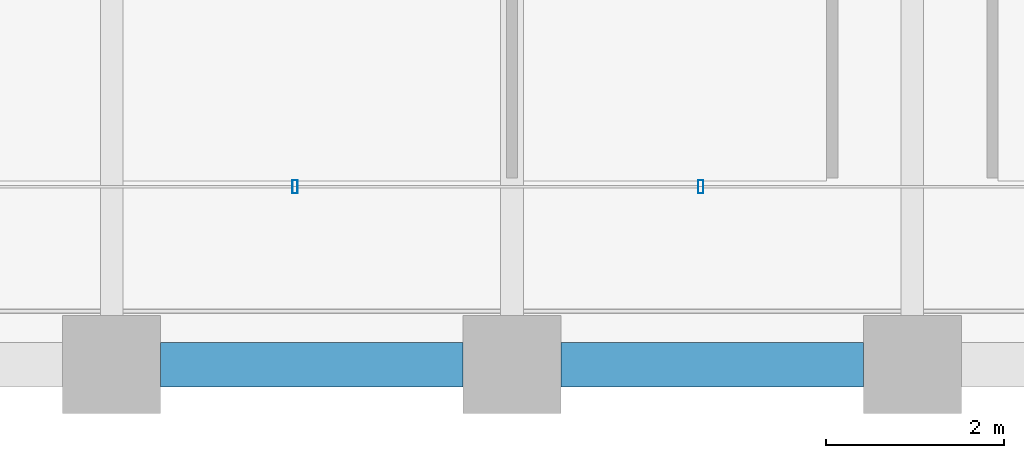
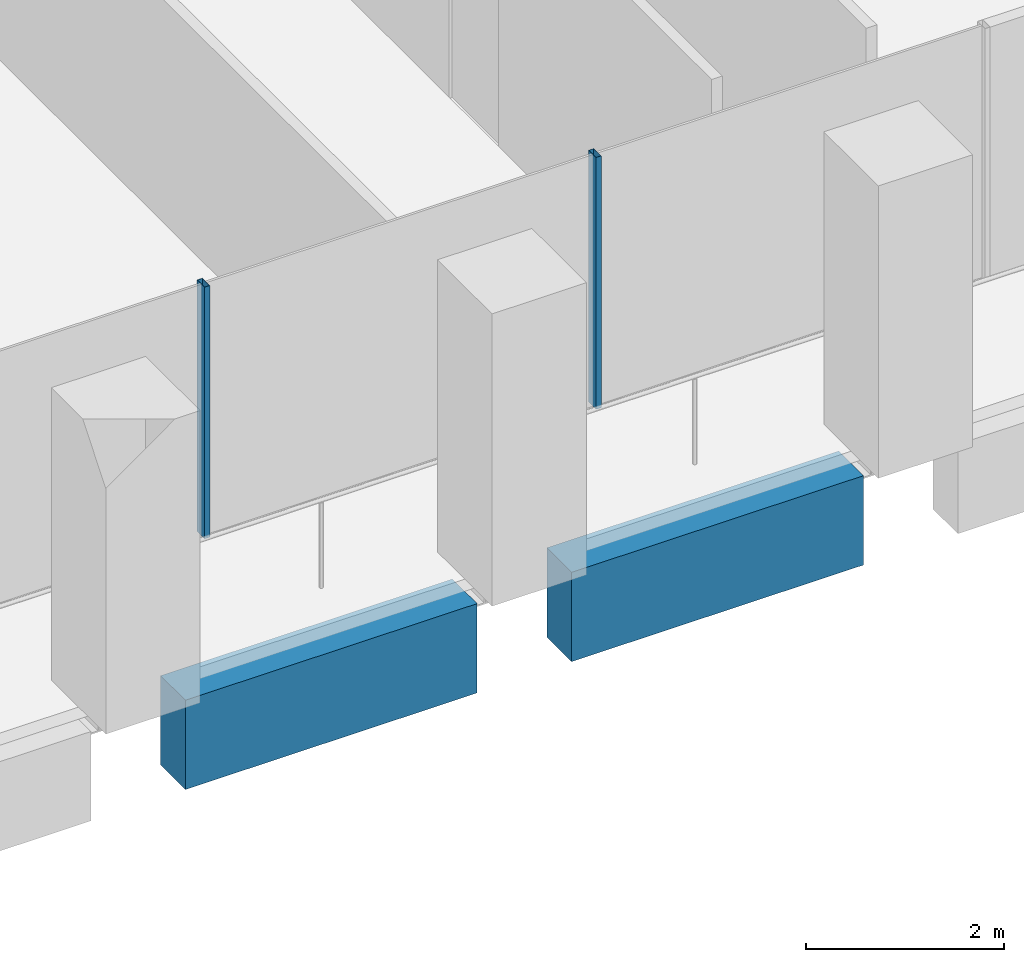
# One storey, part 3 of 56: 2 beams, 2 members, 1 element without a shape of its own.
"""IFC4 building model written with IfcOpenShell, lengths in metres."""

import ifcopenshell
import ifcopenshell.guid

model = None  # the IFC model being written
_history = None  # IfcOwnerHistory: only IFC2X3 demands one
_inside = {}  # id of a spatial element -> (the spatial element, [elements in it])
_under = {}  # id of a project, library or spatial element -> (it, [spatial elements below it])
_declared = {}  # id of a project -> (the project, [libraries it declares])
_typed = {}  # id of a type object -> (the type object, [elements of that type])
_made_of = {}  # id of a material, layer set ... -> (it, [elements and type objects made of it])


def new_model(schema):
    """Start an empty IFC model of exactly this schema.

    Asked for "IFC4X3", IfcOpenShell would pick the latest addendum, in which some entities
    have other attributes; the version numbers below select the first issue.
    IFC2X3 requires an IfcOwnerHistory on every rooted entity: one is made here for all.
    """
    global model, _history
    if schema == "IFC4X3":
        model = ifcopenshell.file(schema_version=(4, 3, 0, 0))
    else:
        model = ifcopenshell.file(schema=schema)
    _inside.clear()
    _under.clear()
    _declared.clear()
    _typed.clear()
    _made_of.clear()
    _history = None
    if model.schema == "IFC2X3":
        org = make("IfcOrganization", Name="unknown")
        user = make(
            "IfcPersonAndOrganization",
            ThePerson=make("IfcPerson", FamilyName="unknown"),
            TheOrganization=org,
        )
        app = make(
            "IfcApplication",
            ApplicationDeveloper=org,
            Version="unknown",
            ApplicationFullName="unknown",
            ApplicationIdentifier="unknown",
        )
        _history = make(
            "IfcOwnerHistory",
            OwningUser=user,
            OwningApplication=app,
            ChangeAction="ADDED",
            CreationDate=0,
        )
    return model


def make(cls, **values):
    """One entity of the class cls with the attributes given. An attribute that is None is left unset."""
    return model.create_entity(
        cls, **{name: value for name, value in values.items() if value is not None}
    )


def rooted(cls, **values):
    """An entity with a GlobalId (a new one), such as an element, a storey or a relation."""
    return make(cls, GlobalId=ifcopenshell.guid.new(), OwnerHistory=_history, **values)


def si_unit(unit_type, name, prefix=None):
    """IfcSIUnit, for example si_unit("LENGTHUNIT", "METRE", prefix="MILLI")."""
    return make("IfcSIUnit", UnitType=unit_type, Prefix=prefix, Name=name)


def assignment(units):
    """IfcUnitAssignment: the units of a project."""
    return None if units is None else make("IfcUnitAssignment", Units=units)


def point(xyz):
    """IfcCartesianPoint."""
    return None if xyz is None else make("IfcCartesianPoint", Coordinates=xyz)


def direction(xyz):
    """IfcDirection."""
    return None if xyz is None else make("IfcDirection", DirectionRatios=xyz)


def frame(location, z_axis=None, x_axis=None):
    """IfcAxis2Placement3D, a coordinate frame: its origin and axes. An axis left out is left unset."""
    return make(
        "IfcAxis2Placement3D",
        Location=point(location),
        Axis=direction(z_axis),
        RefDirection=direction(x_axis),
    )


def frame_2d(location, x_axis=None):
    """IfcAxis2Placement2D, a coordinate frame in the plane: its origin and x axis."""
    return make(
        "IfcAxis2Placement2D", Location=point(location), RefDirection=direction(x_axis)
    )


def origin():
    """The frame at (0, 0, 0) with its axes left unset."""
    return frame((0.0, 0.0, 0.0))


def origin_2d():
    """The frame at (0, 0) in the plane with its x axis left unset."""
    return frame_2d((0.0, 0.0))


def place(relative_to, where):
    """IfcLocalPlacement: puts the frame where relative to a parent placement (None: the world)."""
    return make(
        "IfcLocalPlacement", PlacementRelTo=relative_to, RelativePlacement=where
    )


def context(
    kind, dimensions, precision=None, world=None, true_north=None, identifier=None
):
    """IfcGeometricRepresentationContext, for example the 3D "Model" context."""
    return make(
        "IfcGeometricRepresentationContext",
        ContextIdentifier=identifier,
        ContextType=kind,
        CoordinateSpaceDimension=dimensions,
        Precision=precision,
        WorldCoordinateSystem=world,
        TrueNorth=true_north,
    )


def subcontext(parent, identifier, kind, view, scale=None):
    """IfcGeometricRepresentationSubContext, for example "Body" below "Model"."""
    return make(
        "IfcGeometricRepresentationSubContext",
        ContextIdentifier=identifier,
        ContextType=kind,
        ParentContext=parent,
        TargetScale=scale,
        TargetView=view,
    )


def project(units=None, contexts=None):
    """IfcProject with its units and contexts."""
    return rooted(
        "IfcProject",
        Name="project",
        RepresentationContexts=contexts,
        UnitsInContext=assignment(units),
    )


def spatial(cls, under=None, at=None, **own):
    """A site, building, storey or space (cls), placed at a placement, below another one or the project."""
    s = rooted(cls, ObjectPlacement=at, **own)
    if under is not None:
        _under.setdefault(under.id(), (under, []))[1].append(s)
    return s


def profile(cls, at=None, kind="AREA", **sizes):
    """A parametric profile (cls). Its sizes go by their IFC names, for example OverallWidth=200.0."""
    return make(cls, ProfileType=kind, Position=at, **sizes)


def rectangle(**sizes):
    """IfcRectangleProfileDef."""
    return profile("IfcRectangleProfileDef", **sizes)


def hollow_rectangle(**sizes):
    """IfcRectangleHollowProfileDef."""
    return profile("IfcRectangleHollowProfileDef", **sizes)


def extrude(swept, where, along, depth):
    """IfcExtrudedAreaSolid: the profile swept, set in the frame where, extruded along a direction by depth."""
    return make(
        "IfcExtrudedAreaSolid",
        SweptArea=swept,
        Position=where,
        ExtrudedDirection=direction(along),
        Depth=depth,
    )


def shape(context_of_items, identifier, shape_type, items):
    """IfcShapeRepresentation: the items that make up one representation, for example the "Body"."""
    return make(
        "IfcShapeRepresentation",
        ContextOfItems=context_of_items,
        RepresentationIdentifier=identifier,
        RepresentationType=shape_type,
        Items=items,
    )


def material(Name=None, Category=None):
    """IfcMaterial."""
    return make("IfcMaterial", Name=Name, Category=Category)


def material_profile(
    of_material, cross_section, Name=None, Category=None, Priority=None
):
    """IfcMaterialProfile: a cross section and its material."""
    return make(
        "IfcMaterialProfile",
        Name=Name,
        Material=of_material,
        Profile=cross_section,
        Priority=Priority,
        Category=Category,
    )


def profile_set(profiles, Name=None, composite=None):
    """IfcMaterialProfileSet."""
    return make(
        "IfcMaterialProfileSet",
        Name=Name,
        MaterialProfiles=profiles,
        CompositeProfile=composite,
    )


def made_of(thing, what):
    """Note that an element or type object is made of a material, layer set ...; save() writes the relation."""
    if what is not None:
        _made_of.setdefault(what.id(), (what, []))[1].append(thing)
    return thing


def type_object(cls, material=None, **own):
    """A type object (cls), such as IfcWallType, which elements share."""
    return made_of(rooted(cls, **own), material)


def element(
    cls,
    number,
    at=None,
    inside=None,
    cuts=None,
    type_object=None,
    material=None,
    context=None,
    identifier="Body",
    shape_type=None,
    held_by="IfcProductDefinitionShape",
    body=None,
    shapes=None,
    **own,
):
    """One element of the class cls, such as IfcWall. Its Tag is "e" and its number.

    at: its placement. inside: the storey or other place that contains it. cuts: it is an
    opening in that element (IfcRelVoidsElement). A single representation is given by context,
    identifier, shape_type and body (its items); several are given by shapes. held_by: the class
    of the entity that holds the representations. save() writes the other relations.
    """
    e = rooted(cls, Tag="e%d" % number, ObjectPlacement=at, **own)
    if body is not None:
        shapes = [shape(context, identifier, shape_type, body)]
    if shapes is not None:
        e.Representation = make(held_by, Representations=shapes)
    if inside is not None:
        _inside.setdefault(inside.id(), (inside, []))[1].append(e)
    if cuts is not None:
        rooted(
            "IfcRelVoidsElement", RelatingBuildingElement=cuts, RelatedOpeningElement=e
        )
    if type_object is not None:
        _typed.setdefault(type_object.id(), (type_object, []))[1].append(e)
    return made_of(e, material)


def aggregate(whole, parts):
    """IfcRelAggregates: a whole, such as a stair, and the parts it consists of."""
    return rooted("IfcRelAggregates", RelatingObject=whole, RelatedObjects=parts)


def save(model, path):
    """Write the relations noted so far, then the file.

    IfcRelAggregates (storeys below a building ...), IfcRelContainedInSpatialStructure (elements
    in a storey), IfcRelDefinesByType, IfcRelAssociatesMaterial and IfcRelDeclares: one each for
    every whole, place, type object, material and project.
    """
    for whole, parts in _under.values():
        aggregate(whole, parts)
    for where, things in _inside.values():
        rooted(
            "IfcRelContainedInSpatialStructure",
            RelatedElements=things,
            RelatingStructure=where,
        )
    for kind, things in _typed.values():
        rooted("IfcRelDefinesByType", RelatedObjects=things, RelatingType=kind)
    for what, things in _made_of.values():
        rooted("IfcRelAssociatesMaterial", RelatedObjects=things, RelatingMaterial=what)
    for by, libraries in _declared.values():
        rooted("IfcRelDeclares", RelatingContext=by, RelatedDefinitions=libraries)
    model.write(path)


model = new_model("IFC4")

# Units and contexts
model_context = context("Model", 3, precision=1e-05, world=origin(), true_north=direction((0.0, 1.0)))
body_context = subcontext(model_context, "Body", "Model", "MODEL_VIEW")
ifc_project = project(units=[si_unit("LENGTHUNIT", "METRE"), si_unit("AREAUNIT", "SQUARE_METRE"), si_unit("VOLUMEUNIT", "CUBIC_METRE"), si_unit("PLANEANGLEUNIT", "RADIAN"), si_unit("MASSUNIT", "GRAM", prefix="KILO")], contexts=[model_context])

# Site, building, storey
site_placement = place(None, origin())
site = spatial("IfcSite", under=ifc_project, at=site_placement, CompositionType="ELEMENT")
building_placement = place(site_placement, origin())
building = spatial("IfcBuilding", under=site, at=building_placement, Name="Altepetl Exchange Towers", CompositionType="ELEMENT")
storey_placement = place(building_placement, frame((0.0, 0.0, 76.199951171875)))
storey = spatial("IfcBuildingStorey", under=building, at=storey_placement, Name="L18", CompositionType="ELEMENT", Elevation=76.199951171875)

# Curtain wall, members
ifc_material_1 = material(Name="Aluminium 6063-T6 glazing", Category="aluminium")
curtain_wall_type = type_object("IfcCurtainWallType", Name="Loggia glazing system", PredefinedType="NOTDEFINED", material=ifc_material_1)
curtain_wall_placement = place(storey_placement, origin())
curtain_wall = element("IfcCurtainWall", 1, at=curtain_wall_placement, inside=storey, type_object=curtain_wall_type, Name="CW1 run", PredefinedType="NOTDEFINED")
ifc_material_2 = material(Name="Aluminium 6063-T6", Category="aluminium")
ifc_material_profile_1 = material_profile(ifc_material_2, hollow_rectangle(XDim=0.06005859375, YDim=0.14990234375, WallThickness=0.0029296875, at=origin_2d()), Name="Mullion 60x150 aluminium")
ifc_profile_set_1 = profile_set([ifc_material_profile_1], Name="Aluminium 6063-T6")
member_type = type_object("IfcMemberType", Name="Mullion 60x150 aluminium", PredefinedType="MULLION", material=ifc_profile_set_1)
member_1_placement = place(storey_placement, frame((38.060791015625, 29.0, 0.0)))
member_1 = element("IfcMember", 2, at=member_1_placement, type_object=member_type, Name="MU1 mullion", PredefinedType="MULLION", context=body_context, shape_type="SweptSolid", body=[
    extrude(hollow_rectangle(XDim=0.06005859375, YDim=0.14990234375, WallThickness=0.0029296875, at=origin_2d()), origin(), (0.0, 0.0, 1.0), 3.10009765625),
])
member_2_placement = place(storey_placement, frame((42.621337890625, 29.0, 0.0)))
member_2 = element("IfcMember", 3, at=member_2_placement, type_object=member_type, Name="MU1 mullion", PredefinedType="MULLION", context=body_context, shape_type="SweptSolid", body=[
    extrude(hollow_rectangle(XDim=0.06005859375, YDim=0.14990234375, WallThickness=0.0029296875, at=origin_2d()), origin(), (0.0, 0.0, 1.0), 3.10009765625),
])
aggregate(curtain_wall, [member_1, member_2])

# Beams
ifc_material_3 = material(Name="Concrete C50/60 precast with cantera blanca facing", Category="concrete")
ifc_material_profile_2 = material_profile(ifc_material_3, rectangle(XDim=0.5, YDim=1.10009765625, at=origin_2d()), Name="500 x 1100")
ifc_profile_set_2 = profile_set([ifc_material_profile_2], Name="Concrete C50/60 precast with cantera blanca facing")
beam_type = type_object("IfcBeamType", Name="Spandrel beam 500x1100 cantera blanca", PredefinedType="SPANDREL", material=ifc_profile_set_2)
for number, where, z_axis, x_axis, name in (
    (4, (36.550048828125, 27.0, -0.699951171875), (1.0, 0.0, 0.0), (0.0, 1.0, 0.0), "sp:A:L18:001"),
    (5, (41.050048828125, 27.0, -0.699951171875), (1.0, 0.0, 0.0), (0.0, 1.0, 0.0), "sp:A:L18:002"),
):
    element("IfcBeam", number, at=place(storey_placement, frame(where, z_axis=z_axis, x_axis=x_axis)), inside=storey, type_object=beam_type, Name=name, PredefinedType="SPANDREL", context=body_context, shape_type="SweptSolid", body=[
        extrude(rectangle(XDim=0.5, YDim=1.10009765625, at=origin_2d()), origin(), (0.0, 0.0, 1.0), 3.39990234375),
    ])

save(model, "model.ifc")
